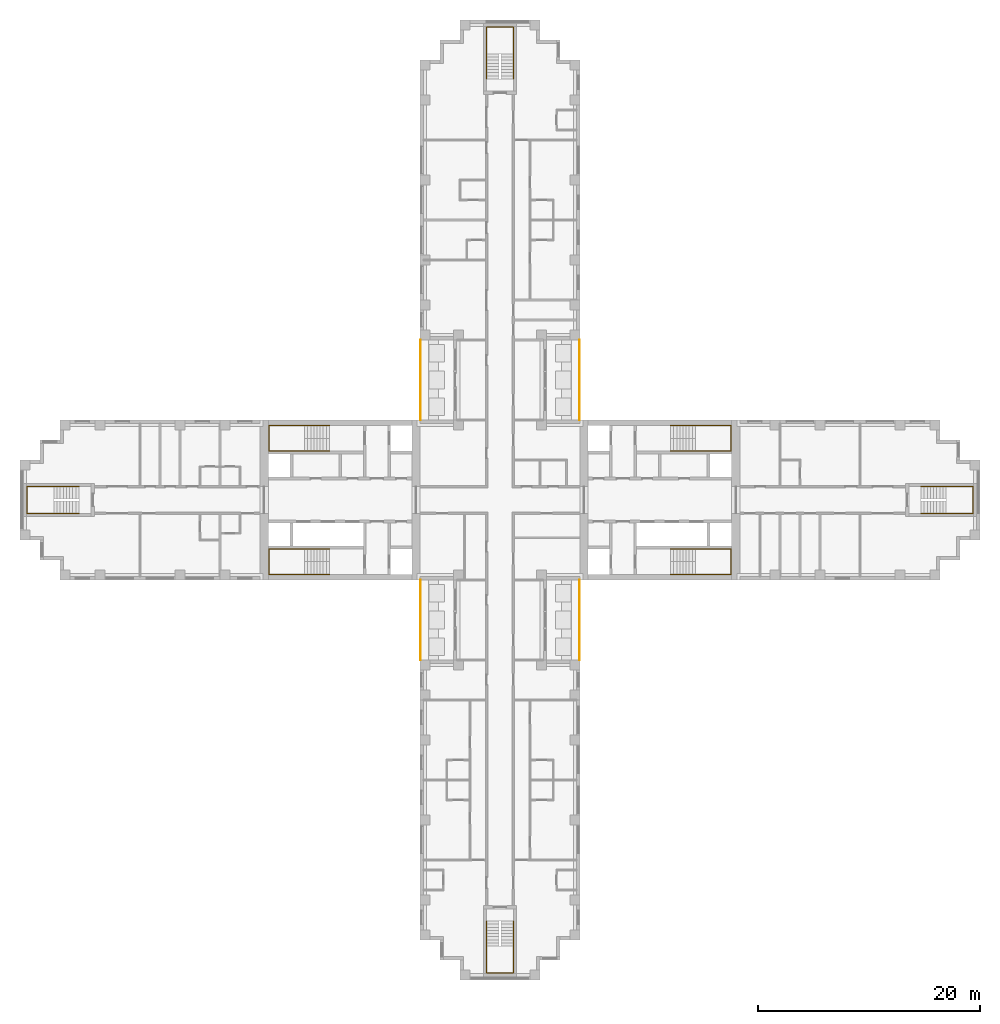
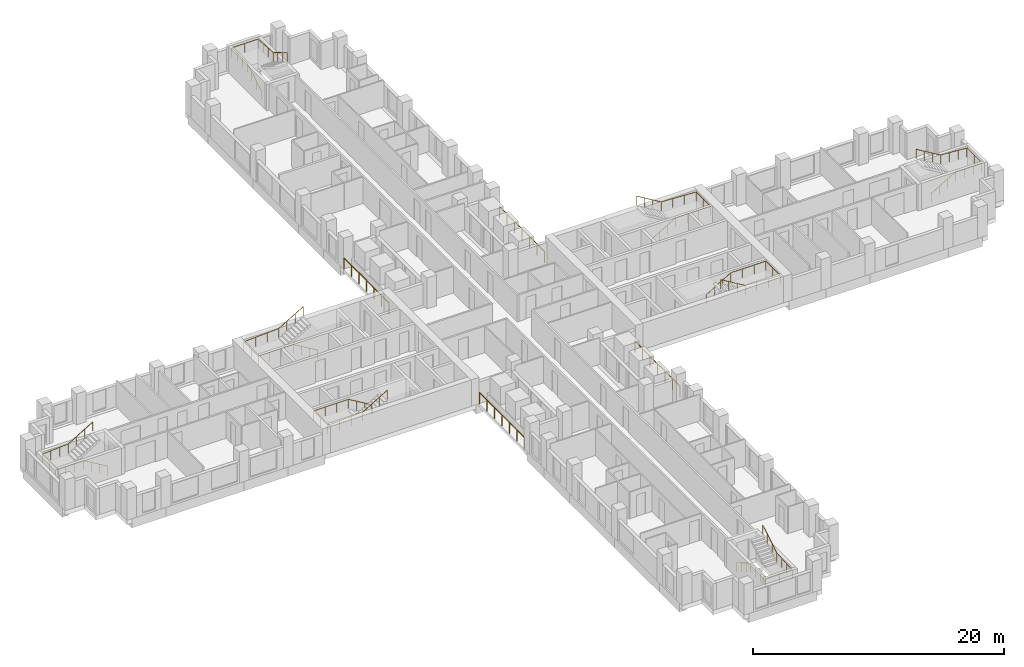
# One storey, part 14 of 15: 12 railings.
"""IFC4 building model written with IfcOpenShell, lengths in metres."""

import ifcopenshell
import ifcopenshell.guid

model = None  # the IFC model being written
_history = None  # IfcOwnerHistory: only IFC2X3 demands one
_inside = {}  # id of a spatial element -> (the spatial element, [elements in it])
_under = {}  # id of a project, library or spatial element -> (it, [spatial elements below it])
_declared = {}  # id of a project -> (the project, [libraries it declares])
_typed = {}  # id of a type object -> (the type object, [elements of that type])
_made_of = {}  # id of a material, layer set ... -> (it, [elements and type objects made of it])


def new_model(schema):
    """Start an empty IFC model of exactly this schema.

    Asked for "IFC4X3", IfcOpenShell would pick the latest addendum, in which some entities
    have other attributes; the version numbers below select the first issue.
    IFC2X3 requires an IfcOwnerHistory on every rooted entity: one is made here for all.
    """
    global model, _history
    if schema == "IFC4X3":
        model = ifcopenshell.file(schema_version=(4, 3, 0, 0))
    else:
        model = ifcopenshell.file(schema=schema)
    _inside.clear()
    _under.clear()
    _declared.clear()
    _typed.clear()
    _made_of.clear()
    _history = None
    if model.schema == "IFC2X3":
        org = make("IfcOrganization", Name="unknown")
        user = make(
            "IfcPersonAndOrganization",
            ThePerson=make("IfcPerson", FamilyName="unknown"),
            TheOrganization=org,
        )
        app = make(
            "IfcApplication",
            ApplicationDeveloper=org,
            Version="unknown",
            ApplicationFullName="unknown",
            ApplicationIdentifier="unknown",
        )
        _history = make(
            "IfcOwnerHistory",
            OwningUser=user,
            OwningApplication=app,
            ChangeAction="ADDED",
            CreationDate=0,
        )
    return model


def make(cls, **values):
    """One entity of the class cls with the attributes given. An attribute that is None is left unset."""
    return model.create_entity(
        cls, **{name: value for name, value in values.items() if value is not None}
    )


def rooted(cls, **values):
    """An entity with a GlobalId (a new one), such as an element, a storey or a relation."""
    return make(cls, GlobalId=ifcopenshell.guid.new(), OwnerHistory=_history, **values)


def si_unit(unit_type, name, prefix=None):
    """IfcSIUnit, for example si_unit("LENGTHUNIT", "METRE", prefix="MILLI")."""
    return make("IfcSIUnit", UnitType=unit_type, Prefix=prefix, Name=name)


def assignment(units):
    """IfcUnitAssignment: the units of a project."""
    return None if units is None else make("IfcUnitAssignment", Units=units)


def point(xyz):
    """IfcCartesianPoint."""
    return None if xyz is None else make("IfcCartesianPoint", Coordinates=xyz)


def direction(xyz):
    """IfcDirection."""
    return None if xyz is None else make("IfcDirection", DirectionRatios=xyz)


def frame(location, z_axis=None, x_axis=None):
    """IfcAxis2Placement3D, a coordinate frame: its origin and axes. An axis left out is left unset."""
    return make(
        "IfcAxis2Placement3D",
        Location=point(location),
        Axis=direction(z_axis),
        RefDirection=direction(x_axis),
    )


def frame_2d(location, x_axis=None):
    """IfcAxis2Placement2D, a coordinate frame in the plane: its origin and x axis."""
    return make(
        "IfcAxis2Placement2D", Location=point(location), RefDirection=direction(x_axis)
    )


def origin():
    """The frame at (0, 0, 0) with its axes left unset."""
    return frame((0.0, 0.0, 0.0))


def origin_2d():
    """The frame at (0, 0) in the plane with its x axis left unset."""
    return frame_2d((0.0, 0.0))


def place(relative_to, where):
    """IfcLocalPlacement: puts the frame where relative to a parent placement (None: the world)."""
    return make(
        "IfcLocalPlacement", PlacementRelTo=relative_to, RelativePlacement=where
    )


def context(
    kind, dimensions, precision=None, world=None, true_north=None, identifier=None
):
    """IfcGeometricRepresentationContext, for example the 3D "Model" context."""
    return make(
        "IfcGeometricRepresentationContext",
        ContextIdentifier=identifier,
        ContextType=kind,
        CoordinateSpaceDimension=dimensions,
        Precision=precision,
        WorldCoordinateSystem=world,
        TrueNorth=true_north,
    )


def subcontext(parent, identifier, kind, view, scale=None):
    """IfcGeometricRepresentationSubContext, for example "Body" below "Model"."""
    return make(
        "IfcGeometricRepresentationSubContext",
        ContextIdentifier=identifier,
        ContextType=kind,
        ParentContext=parent,
        TargetScale=scale,
        TargetView=view,
    )


def project(units=None, contexts=None):
    """IfcProject with its units and contexts."""
    return rooted(
        "IfcProject",
        Name="project",
        RepresentationContexts=contexts,
        UnitsInContext=assignment(units),
    )


def spatial(cls, under=None, at=None, **own):
    """A site, building, storey or space (cls), placed at a placement, below another one or the project."""
    s = rooted(cls, ObjectPlacement=at, **own)
    if under is not None:
        _under.setdefault(under.id(), (under, []))[1].append(s)
    return s


def profile(cls, at=None, kind="AREA", **sizes):
    """A parametric profile (cls). Its sizes go by their IFC names, for example OverallWidth=200.0."""
    return make(cls, ProfileType=kind, Position=at, **sizes)


def circle(**sizes):
    """IfcCircleProfileDef."""
    return profile("IfcCircleProfileDef", **sizes)


def extrude(swept, where, along, depth):
    """IfcExtrudedAreaSolid: the profile swept, set in the frame where, extruded along a direction by depth."""
    return make(
        "IfcExtrudedAreaSolid",
        SweptArea=swept,
        Position=where,
        ExtrudedDirection=direction(along),
        Depth=depth,
    )


def shape(context_of_items, identifier, shape_type, items):
    """IfcShapeRepresentation: the items that make up one representation, for example the "Body"."""
    return make(
        "IfcShapeRepresentation",
        ContextOfItems=context_of_items,
        RepresentationIdentifier=identifier,
        RepresentationType=shape_type,
        Items=items,
    )


def material(Name=None, Category=None):
    """IfcMaterial."""
    return make("IfcMaterial", Name=Name, Category=Category)


def made_of(thing, what):
    """Note that an element or type object is made of a material, layer set ...; save() writes the relation."""
    if what is not None:
        _made_of.setdefault(what.id(), (what, []))[1].append(thing)
    return thing


def type_object(cls, material=None, **own):
    """A type object (cls), such as IfcWallType, which elements share."""
    return made_of(rooted(cls, **own), material)


def element(
    cls,
    number,
    at=None,
    inside=None,
    cuts=None,
    type_object=None,
    material=None,
    context=None,
    identifier="Body",
    shape_type=None,
    held_by="IfcProductDefinitionShape",
    body=None,
    shapes=None,
    **own,
):
    """One element of the class cls, such as IfcWall. Its Tag is "e" and its number.

    at: its placement. inside: the storey or other place that contains it. cuts: it is an
    opening in that element (IfcRelVoidsElement). A single representation is given by context,
    identifier, shape_type and body (its items); several are given by shapes. held_by: the class
    of the entity that holds the representations. save() writes the other relations.
    """
    e = rooted(cls, Tag="e%d" % number, ObjectPlacement=at, **own)
    if body is not None:
        shapes = [shape(context, identifier, shape_type, body)]
    if shapes is not None:
        e.Representation = make(held_by, Representations=shapes)
    if inside is not None:
        _inside.setdefault(inside.id(), (inside, []))[1].append(e)
    if cuts is not None:
        rooted(
            "IfcRelVoidsElement", RelatingBuildingElement=cuts, RelatedOpeningElement=e
        )
    if type_object is not None:
        _typed.setdefault(type_object.id(), (type_object, []))[1].append(e)
    return made_of(e, material)


def aggregate(whole, parts):
    """IfcRelAggregates: a whole, such as a stair, and the parts it consists of."""
    return rooted("IfcRelAggregates", RelatingObject=whole, RelatedObjects=parts)


def save(model, path):
    """Write the relations noted so far, then the file.

    IfcRelAggregates (storeys below a building ...), IfcRelContainedInSpatialStructure (elements
    in a storey), IfcRelDefinesByType, IfcRelAssociatesMaterial and IfcRelDeclares: one each for
    every whole, place, type object, material and project.
    """
    for whole, parts in _under.values():
        aggregate(whole, parts)
    for where, things in _inside.values():
        rooted(
            "IfcRelContainedInSpatialStructure",
            RelatedElements=things,
            RelatingStructure=where,
        )
    for kind, things in _typed.values():
        rooted("IfcRelDefinesByType", RelatedObjects=things, RelatingType=kind)
    for what, things in _made_of.values():
        rooted("IfcRelAssociatesMaterial", RelatedObjects=things, RelatingMaterial=what)
    for by, libraries in _declared.values():
        rooted("IfcRelDeclares", RelatingContext=by, RelatedDefinitions=libraries)
    model.write(path)


model = new_model("IFC4")

# Units and contexts
model_context = context("Model", 3, precision=1e-05, world=origin(), true_north=direction((0.0, 1.0)))
body_context = subcontext(model_context, "Body", "Model", "MODEL_VIEW")
ifc_project = project(units=[si_unit("LENGTHUNIT", "METRE"), si_unit("AREAUNIT", "SQUARE_METRE"), si_unit("VOLUMEUNIT", "CUBIC_METRE"), si_unit("PLANEANGLEUNIT", "RADIAN"), si_unit("MASSUNIT", "GRAM", prefix="KILO")], contexts=[model_context])

# Site, building, storey
site_placement = place(None, origin())
site = spatial("IfcSite", under=ifc_project, at=site_placement, CompositionType="ELEMENT")
building_placement = place(site_placement, origin())
building = spatial("IfcBuilding", under=site, at=building_placement, Name="Fustian Cross Tower", CompositionType="ELEMENT")
storey_placement = place(building_placement, frame((0.0, 0.0, 50.699951171875)))
storey = spatial("IfcBuildingStorey", under=building, at=storey_placement, Name="L15", CompositionType="ELEMENT", Elevation=50.699951171875)

# Railings
ifc_material_1 = material(Name="Stainless steel and glass", Category="steel")
railing_type_1 = type_object("IfcRailingType", Name="GR1 BALCONY GUARD 1100", PredefinedType="GUARDRAIL", material=ifc_material_1)
for number, where, name in (
    (1, (7.14990234375, 7.199951171875, 0.0), "Balcony guard"),
    (2, (-7.14990234375, 7.199951171875, 0.0), "Balcony guard"),
    (3, (7.14990234375, -14.39990234375, 0.0), "Balcony guard"),
    (4, (-7.14990234375, -14.39990234375, 0.0), "Balcony guard"),
):
    element("IfcRailing", number, at=place(storey_placement, frame(where)), inside=storey, type_object=railing_type_1, Name=name, PredefinedType="GUARDRAIL", context=body_context, shape_type="SweptSolid", body=[
        extrude(circle(Radius=0.02392578125, at=origin_2d()), frame((0.0, 0.0, 1.076171875), z_axis=(0.0, 1.0, 0.0), x_axis=(-1.0, 0.0, 0.0)), (0.0, 0.0, 1.0), 7.199951171875),
        extrude(circle(Radius=0.02099609375, at=origin_2d()), origin(), (0.0, 0.0, 1.0), 1.052001953125),
        extrude(circle(Radius=0.02099609375, at=origin_2d()), frame((0.0, 1.199951171875, 0.0)), (0.0, 0.0, 1.0), 1.052001953125),
        extrude(circle(Radius=0.02099609375, at=origin_2d()), frame((0.0, 2.39990234375, 0.0)), (0.0, 0.0, 1.0), 1.052001953125),
        extrude(circle(Radius=0.02099609375, at=origin_2d()), frame((0.0, 3.60009765625, 0.0)), (0.0, 0.0, 1.0), 1.052001953125),
        extrude(circle(Radius=0.02099609375, at=origin_2d()), frame((0.0, 4.800048828125, 0.0)), (0.0, 0.0, 1.0), 1.052001953125),
        extrude(circle(Radius=0.02099609375, at=origin_2d()), frame((0.0, 6.0, 0.0)), (0.0, 0.0, 1.0), 1.052001953125),
        extrude(circle(Radius=0.02099609375, at=origin_2d()), frame((0.0, 7.199951171875, 0.0)), (0.0, 0.0, 1.0), 1.052001953125),
    ])
ifc_material_2 = material(Name="Stainless steel", Category="steel")
railing_type_2 = type_object("IfcRailingType", Name="STAIR HANDRAIL", PredefinedType="HANDRAIL", material=ifc_material_2)
railing_1_placement = place(storey_placement, frame((15.35009765625, 4.39990234375, 0.166748046875)))
element("IfcRailing", 5, at=railing_1_placement, inside=storey, type_object=railing_type_2, Name="Stair ST1 handrail 1", PredefinedType="HANDRAIL", context=body_context, shape_type="SweptSolid", body=[
    extrude(circle(Radius=0.02490234375, at=origin_2d()), frame((0.0, 0.0, 0.875), z_axis=(0.859305625298, 0.0, 0.511462454469), x_axis=(0.0, 1.0, 0.0)), (0.0, 0.0, 1.0), 2.606689453125),
    extrude(circle(Radius=0.02490234375, at=origin_2d()), frame((2.239990234375, 0.0, 2.2080078125), z_axis=(1.0, 0.0, 0.0), x_axis=(0.0, 1.0, 0.0)), (0.0, 0.0, 1.0), 3.219970703125),
    extrude(circle(Radius=0.02490234375, at=origin_2d()), frame((5.4599609375, 0.0, 2.2080078125), z_axis=(0.0, 1.0, 0.0), x_axis=(-1.0, 0.0, 0.0)), (0.0, 0.0, 1.0), 2.300048828125),
    extrude(circle(Radius=0.02490234375, at=origin_2d()), frame((5.4599609375, 2.300048828125, 2.2080078125), z_axis=(-0.998661817807, 0.0, 0.051716280352), x_axis=(0.0, -1.0, 0.0)), (0.0, 0.0, 1.0), 3.224365234375),
    extrude(circle(Radius=0.02490234375, at=origin_2d()), frame((2.239990234375, 2.300048828125, 2.375), z_axis=(-0.859305625298, 0.0, 0.511462454469), x_axis=(0.0, -1.0, 0.0)), (0.0, 0.0, 1.0), 2.606689453125),
    extrude(circle(Radius=0.02001953125, at=origin_2d()), origin(), (0.0, 0.0, 1.0), 0.849853515625),
    extrude(circle(Radius=0.02001953125, at=origin_2d()), frame((0.74658203125, 0.0, 0.4443359375)), (0.0, 0.0, 1.0), 0.849853515625),
    extrude(circle(Radius=0.02001953125, at=origin_2d()), frame((1.493408203125, 0.0, 0.888916015625)), (0.0, 0.0, 1.0), 0.849853515625),
    extrude(circle(Radius=0.02001953125, at=origin_2d()), frame((2.239990234375, 0.0, 1.333251953125)), (0.0, 0.0, 1.0), 0.849853515625),
    extrude(circle(Radius=0.02001953125, at=origin_2d()), frame((3.313232421875, 0.0, 1.333251953125)), (0.0, 0.0, 1.0), 0.849853515625),
    extrude(circle(Radius=0.02001953125, at=origin_2d()), frame((4.38671875, 0.0, 1.333251953125)), (0.0, 0.0, 1.0), 0.849853515625),
    extrude(circle(Radius=0.02001953125, at=origin_2d()), frame((5.4599609375, 0.0, 1.333251953125)), (0.0, 0.0, 1.0), 0.849853515625),
    extrude(circle(Radius=0.02001953125, at=origin_2d()), frame((5.4599609375, 1.14990234375, 1.333251953125)), (0.0, 0.0, 1.0), 0.849853515625),
    extrude(circle(Radius=0.02001953125, at=origin_2d()), frame((5.4599609375, 2.300048828125, 1.333251953125)), (0.0, 0.0, 1.0), 0.849853515625),
    extrude(circle(Radius=0.02001953125, at=origin_2d()), frame((4.38671875, 2.300048828125, 1.388916015625)), (0.0, 0.0, 1.0), 0.849853515625),
    extrude(circle(Radius=0.02001953125, at=origin_2d()), frame((3.313232421875, 2.300048828125, 1.4443359375)), (0.0, 0.0, 1.0), 0.849853515625),
    extrude(circle(Radius=0.02001953125, at=origin_2d()), frame((2.239990234375, 2.300048828125, 1.5)), (0.0, 0.0, 1.0), 0.849853515625),
    extrude(circle(Radius=0.02001953125, at=origin_2d()), frame((1.493408203125, 2.300048828125, 1.9443359375)), (0.0, 0.0, 1.0), 0.849853515625),
    extrude(circle(Radius=0.02001953125, at=origin_2d()), frame((0.74658203125, 2.300048828125, 2.388916015625)), (0.0, 0.0, 1.0), 0.849853515625),
    extrude(circle(Radius=0.02001953125, at=origin_2d()), frame((0.0, 2.300048828125, 2.833251953125)), (0.0, 0.0, 1.0), 0.849853515625),
])
railing_2_placement = place(storey_placement, frame((15.35009765625, -4.39990234375, 0.166748046875)))
element("IfcRailing", 6, at=railing_2_placement, inside=storey, type_object=railing_type_2, Name="Stair ST2 handrail 1", PredefinedType="HANDRAIL", context=body_context, shape_type="SweptSolid", body=[
    extrude(circle(Radius=0.02490234375, at=origin_2d()), frame((0.0, 0.0, 0.875), z_axis=(0.859305625298, 0.0, 0.511462454469), x_axis=(0.0, 1.0, 0.0)), (0.0, 0.0, 1.0), 2.606689453125),
    extrude(circle(Radius=0.02490234375, at=origin_2d()), frame((2.239990234375, 0.0, 2.2080078125), z_axis=(1.0, 0.0, 0.0), x_axis=(0.0, 1.0, 0.0)), (0.0, 0.0, 1.0), 3.219970703125),
    extrude(circle(Radius=0.02490234375, at=origin_2d()), frame((5.4599609375, 0.0, 2.2080078125), z_axis=(0.0, -1.0, 0.0), x_axis=(1.0, 0.0, 0.0)), (0.0, 0.0, 1.0), 2.300048828125),
    extrude(circle(Radius=0.02490234375, at=origin_2d()), frame((5.4599609375, -2.300048828125, 2.2080078125), z_axis=(-0.998661817807, 0.0, 0.051716280352), x_axis=(0.0, -1.0, 0.0)), (0.0, 0.0, 1.0), 3.224365234375),
    extrude(circle(Radius=0.02490234375, at=origin_2d()), frame((2.239990234375, -2.300048828125, 2.375), z_axis=(-0.859305625298, 0.0, 0.511462454469), x_axis=(0.0, -1.0, 0.0)), (0.0, 0.0, 1.0), 2.606689453125),
    extrude(circle(Radius=0.02001953125, at=origin_2d()), origin(), (0.0, 0.0, 1.0), 0.849853515625),
    extrude(circle(Radius=0.02001953125, at=origin_2d()), frame((0.74658203125, 0.0, 0.4443359375)), (0.0, 0.0, 1.0), 0.849853515625),
    extrude(circle(Radius=0.02001953125, at=origin_2d()), frame((1.493408203125, 0.0, 0.888916015625)), (0.0, 0.0, 1.0), 0.849853515625),
    extrude(circle(Radius=0.02001953125, at=origin_2d()), frame((2.239990234375, 0.0, 1.333251953125)), (0.0, 0.0, 1.0), 0.849853515625),
    extrude(circle(Radius=0.02001953125, at=origin_2d()), frame((3.313232421875, 0.0, 1.333251953125)), (0.0, 0.0, 1.0), 0.849853515625),
    extrude(circle(Radius=0.02001953125, at=origin_2d()), frame((4.38671875, 0.0, 1.333251953125)), (0.0, 0.0, 1.0), 0.849853515625),
    extrude(circle(Radius=0.02001953125, at=origin_2d()), frame((5.4599609375, 0.0, 1.333251953125)), (0.0, 0.0, 1.0), 0.849853515625),
    extrude(circle(Radius=0.02001953125, at=origin_2d()), frame((5.4599609375, -1.14990234375, 1.333251953125)), (0.0, 0.0, 1.0), 0.849853515625),
    extrude(circle(Radius=0.02001953125, at=origin_2d()), frame((5.4599609375, -2.300048828125, 1.333251953125)), (0.0, 0.0, 1.0), 0.849853515625),
    extrude(circle(Radius=0.02001953125, at=origin_2d()), frame((4.38671875, -2.300048828125, 1.388916015625)), (0.0, 0.0, 1.0), 0.849853515625),
    extrude(circle(Radius=0.02001953125, at=origin_2d()), frame((3.313232421875, -2.300048828125, 1.4443359375)), (0.0, 0.0, 1.0), 0.849853515625),
    extrude(circle(Radius=0.02001953125, at=origin_2d()), frame((2.239990234375, -2.300048828125, 1.5)), (0.0, 0.0, 1.0), 0.849853515625),
    extrude(circle(Radius=0.02001953125, at=origin_2d()), frame((1.493408203125, -2.300048828125, 1.9443359375)), (0.0, 0.0, 1.0), 0.849853515625),
    extrude(circle(Radius=0.02001953125, at=origin_2d()), frame((0.74658203125, -2.300048828125, 2.388916015625)), (0.0, 0.0, 1.0), 0.849853515625),
    extrude(circle(Radius=0.02001953125, at=origin_2d()), frame((0.0, -2.300048828125, 2.833251953125)), (0.0, 0.0, 1.0), 0.849853515625),
])
railing_3_placement = place(storey_placement, frame((-15.35009765625, 4.39990234375, 0.166748046875)))
element("IfcRailing", 7, at=railing_3_placement, inside=storey, type_object=railing_type_2, Name="Stair ST3 handrail 1", PredefinedType="HANDRAIL", context=body_context, shape_type="SweptSolid", body=[
    extrude(circle(Radius=0.02490234375, at=origin_2d()), frame((0.0, 0.0, 0.875), z_axis=(-0.859305625298, 0.0, 0.511462454469), x_axis=(0.0, -1.0, 0.0)), (0.0, 0.0, 1.0), 2.606689453125),
    extrude(circle(Radius=0.02490234375, at=origin_2d()), frame((-2.239990234375, 0.0, 2.2080078125), z_axis=(-1.0, 0.0, 0.0), x_axis=(0.0, -1.0, 0.0)), (0.0, 0.0, 1.0), 3.219970703125),
    extrude(circle(Radius=0.02490234375, at=origin_2d()), frame((-5.4599609375, 0.0, 2.2080078125), z_axis=(0.0, 1.0, 0.0), x_axis=(-1.0, 0.0, 0.0)), (0.0, 0.0, 1.0), 2.300048828125),
    extrude(circle(Radius=0.02490234375, at=origin_2d()), frame((-5.4599609375, 2.300048828125, 2.2080078125), z_axis=(0.998661817807, 0.0, 0.051716280352), x_axis=(0.0, 1.0, 0.0)), (0.0, 0.0, 1.0), 3.224365234375),
    extrude(circle(Radius=0.02490234375, at=origin_2d()), frame((-2.239990234375, 2.300048828125, 2.375), z_axis=(0.859305625298, 0.0, 0.511462454469), x_axis=(0.0, 1.0, 0.0)), (0.0, 0.0, 1.0), 2.606689453125),
    extrude(circle(Radius=0.02001953125, at=origin_2d()), origin(), (0.0, 0.0, 1.0), 0.849853515625),
    extrude(circle(Radius=0.02001953125, at=origin_2d()), frame((-0.74658203125, 0.0, 0.4443359375)), (0.0, 0.0, 1.0), 0.849853515625),
    extrude(circle(Radius=0.02001953125, at=origin_2d()), frame((-1.493408203125, 0.0, 0.888916015625)), (0.0, 0.0, 1.0), 0.849853515625),
    extrude(circle(Radius=0.02001953125, at=origin_2d()), frame((-2.239990234375, 0.0, 1.333251953125)), (0.0, 0.0, 1.0), 0.849853515625),
    extrude(circle(Radius=0.02001953125, at=origin_2d()), frame((-3.313232421875, 0.0, 1.333251953125)), (0.0, 0.0, 1.0), 0.849853515625),
    extrude(circle(Radius=0.02001953125, at=origin_2d()), frame((-4.38671875, 0.0, 1.333251953125)), (0.0, 0.0, 1.0), 0.849853515625),
    extrude(circle(Radius=0.02001953125, at=origin_2d()), frame((-5.4599609375, 0.0, 1.333251953125)), (0.0, 0.0, 1.0), 0.849853515625),
    extrude(circle(Radius=0.02001953125, at=origin_2d()), frame((-5.4599609375, 1.14990234375, 1.333251953125)), (0.0, 0.0, 1.0), 0.849853515625),
    extrude(circle(Radius=0.02001953125, at=origin_2d()), frame((-5.4599609375, 2.300048828125, 1.333251953125)), (0.0, 0.0, 1.0), 0.849853515625),
    extrude(circle(Radius=0.02001953125, at=origin_2d()), frame((-4.38671875, 2.300048828125, 1.388916015625)), (0.0, 0.0, 1.0), 0.849853515625),
    extrude(circle(Radius=0.02001953125, at=origin_2d()), frame((-3.313232421875, 2.300048828125, 1.4443359375)), (0.0, 0.0, 1.0), 0.849853515625),
    extrude(circle(Radius=0.02001953125, at=origin_2d()), frame((-2.239990234375, 2.300048828125, 1.5)), (0.0, 0.0, 1.0), 0.849853515625),
    extrude(circle(Radius=0.02001953125, at=origin_2d()), frame((-1.493408203125, 2.300048828125, 1.9443359375)), (0.0, 0.0, 1.0), 0.849853515625),
    extrude(circle(Radius=0.02001953125, at=origin_2d()), frame((-0.74658203125, 2.300048828125, 2.388916015625)), (0.0, 0.0, 1.0), 0.849853515625),
    extrude(circle(Radius=0.02001953125, at=origin_2d()), frame((0.0, 2.300048828125, 2.833251953125)), (0.0, 0.0, 1.0), 0.849853515625),
])
railing_4_placement = place(storey_placement, frame((-15.35009765625, -4.39990234375, 0.166748046875)))
element("IfcRailing", 8, at=railing_4_placement, inside=storey, type_object=railing_type_2, Name="Stair ST4 handrail 1", PredefinedType="HANDRAIL", context=body_context, shape_type="SweptSolid", body=[
    extrude(circle(Radius=0.02490234375, at=origin_2d()), frame((0.0, 0.0, 0.875), z_axis=(-0.859305625298, 0.0, 0.511462454469), x_axis=(0.0, -1.0, 0.0)), (0.0, 0.0, 1.0), 2.606689453125),
    extrude(circle(Radius=0.02490234375, at=origin_2d()), frame((-2.239990234375, 0.0, 2.2080078125), z_axis=(-1.0, 0.0, 0.0), x_axis=(0.0, -1.0, 0.0)), (0.0, 0.0, 1.0), 3.219970703125),
    extrude(circle(Radius=0.02490234375, at=origin_2d()), frame((-5.4599609375, 0.0, 2.2080078125), z_axis=(0.0, -1.0, 0.0), x_axis=(1.0, 0.0, 0.0)), (0.0, 0.0, 1.0), 2.300048828125),
    extrude(circle(Radius=0.02490234375, at=origin_2d()), frame((-5.4599609375, -2.300048828125, 2.2080078125), z_axis=(0.998661817807, 0.0, 0.051716280352), x_axis=(0.0, 1.0, 0.0)), (0.0, 0.0, 1.0), 3.224365234375),
    extrude(circle(Radius=0.02490234375, at=origin_2d()), frame((-2.239990234375, -2.300048828125, 2.375), z_axis=(0.859305625298, 0.0, 0.511462454469), x_axis=(0.0, 1.0, 0.0)), (0.0, 0.0, 1.0), 2.606689453125),
    extrude(circle(Radius=0.02001953125, at=origin_2d()), origin(), (0.0, 0.0, 1.0), 0.849853515625),
    extrude(circle(Radius=0.02001953125, at=origin_2d()), frame((-0.74658203125, 0.0, 0.4443359375)), (0.0, 0.0, 1.0), 0.849853515625),
    extrude(circle(Radius=0.02001953125, at=origin_2d()), frame((-1.493408203125, 0.0, 0.888916015625)), (0.0, 0.0, 1.0), 0.849853515625),
    extrude(circle(Radius=0.02001953125, at=origin_2d()), frame((-2.239990234375, 0.0, 1.333251953125)), (0.0, 0.0, 1.0), 0.849853515625),
    extrude(circle(Radius=0.02001953125, at=origin_2d()), frame((-3.313232421875, 0.0, 1.333251953125)), (0.0, 0.0, 1.0), 0.849853515625),
    extrude(circle(Radius=0.02001953125, at=origin_2d()), frame((-4.38671875, 0.0, 1.333251953125)), (0.0, 0.0, 1.0), 0.849853515625),
    extrude(circle(Radius=0.02001953125, at=origin_2d()), frame((-5.4599609375, 0.0, 1.333251953125)), (0.0, 0.0, 1.0), 0.849853515625),
    extrude(circle(Radius=0.02001953125, at=origin_2d()), frame((-5.4599609375, -1.14990234375, 1.333251953125)), (0.0, 0.0, 1.0), 0.849853515625),
    extrude(circle(Radius=0.02001953125, at=origin_2d()), frame((-5.4599609375, -2.300048828125, 1.333251953125)), (0.0, 0.0, 1.0), 0.849853515625),
    extrude(circle(Radius=0.02001953125, at=origin_2d()), frame((-4.38671875, -2.300048828125, 1.388916015625)), (0.0, 0.0, 1.0), 0.849853515625),
    extrude(circle(Radius=0.02001953125, at=origin_2d()), frame((-3.313232421875, -2.300048828125, 1.4443359375)), (0.0, 0.0, 1.0), 0.849853515625),
    extrude(circle(Radius=0.02001953125, at=origin_2d()), frame((-2.239990234375, -2.300048828125, 1.5)), (0.0, 0.0, 1.0), 0.849853515625),
    extrude(circle(Radius=0.02001953125, at=origin_2d()), frame((-1.493408203125, -2.300048828125, 1.9443359375)), (0.0, 0.0, 1.0), 0.849853515625),
    extrude(circle(Radius=0.02001953125, at=origin_2d()), frame((-0.74658203125, -2.300048828125, 2.388916015625)), (0.0, 0.0, 1.0), 0.849853515625),
    extrude(circle(Radius=0.02001953125, at=origin_2d()), frame((0.0, -2.300048828125, 2.833251953125)), (0.0, 0.0, 1.0), 0.849853515625),
])
railing_5_placement = place(storey_placement, frame((-1.199951171875, 37.89990234375, 0.166748046875)))
element("IfcRailing", 9, at=railing_5_placement, inside=storey, type_object=railing_type_2, Name="Stair ST5 handrail 1", PredefinedType="HANDRAIL", context=body_context, shape_type="SweptSolid", body=[
    extrude(circle(Radius=0.02490234375, at=origin_2d()), frame((0.0, 0.0, 0.875), z_axis=(0.0, 0.859305625298, 0.511462454469), x_axis=(-1.0, 0.0, 0.0)), (0.0, 0.0, 1.0), 2.606689453125),
    extrude(circle(Radius=0.02490234375, at=origin_2d()), frame((0.0, 2.239990234375, 2.2080078125), z_axis=(0.0, 1.0, 0.0), x_axis=(-1.0, 0.0, 0.0)), (0.0, 0.0, 1.0), 2.420166015625),
    extrude(circle(Radius=0.02490234375, at=origin_2d()), frame((0.0, 4.66015625, 2.2080078125), z_axis=(1.0, 0.0, 0.0), x_axis=(0.0, 1.0, 0.0)), (0.0, 0.0, 1.0), 2.39990234375),
    extrude(circle(Radius=0.02490234375, at=origin_2d()), frame((2.39990234375, 4.66015625, 2.2080078125), z_axis=(0.0, -0.997634852044, 0.068736467663), x_axis=(1.0, 0.0, 0.0)), (0.0, 0.0, 1.0), 2.426025390625),
    extrude(circle(Radius=0.02490234375, at=origin_2d()), frame((2.39990234375, 2.239990234375, 2.375), z_axis=(0.0, -0.859305625298, 0.511462454469), x_axis=(1.0, 0.0, 0.0)), (0.0, 0.0, 1.0), 2.606689453125),
    extrude(circle(Radius=0.02001953125, at=origin_2d()), origin(), (0.0, 0.0, 1.0), 0.849853515625),
    extrude(circle(Radius=0.02001953125, at=origin_2d()), frame((0.0, 0.74658203125, 0.4443359375)), (0.0, 0.0, 1.0), 0.849853515625),
    extrude(circle(Radius=0.02001953125, at=origin_2d()), frame((0.0, 1.493408203125, 0.888916015625)), (0.0, 0.0, 1.0), 0.849853515625),
    extrude(circle(Radius=0.02001953125, at=origin_2d()), frame((0.0, 2.239990234375, 1.333251953125)), (0.0, 0.0, 1.0), 0.849853515625),
    extrude(circle(Radius=0.02001953125, at=origin_2d()), frame((0.0, 3.046630859375, 1.333251953125)), (0.0, 0.0, 1.0), 0.849853515625),
    extrude(circle(Radius=0.02001953125, at=origin_2d()), frame((0.0, 3.853515625, 1.333251953125)), (0.0, 0.0, 1.0), 0.849853515625),
    extrude(circle(Radius=0.02001953125, at=origin_2d()), frame((0.0, 4.66015625, 1.333251953125)), (0.0, 0.0, 1.0), 0.849853515625),
    extrude(circle(Radius=0.02001953125, at=origin_2d()), frame((1.199951171875, 4.66015625, 1.333251953125)), (0.0, 0.0, 1.0), 0.849853515625),
    extrude(circle(Radius=0.02001953125, at=origin_2d()), frame((2.39990234375, 4.66015625, 1.333251953125)), (0.0, 0.0, 1.0), 0.849853515625),
    extrude(circle(Radius=0.02001953125, at=origin_2d()), frame((2.39990234375, 3.853515625, 1.388916015625)), (0.0, 0.0, 1.0), 0.849853515625),
    extrude(circle(Radius=0.02001953125, at=origin_2d()), frame((2.39990234375, 3.046630859375, 1.4443359375)), (0.0, 0.0, 1.0), 0.849853515625),
    extrude(circle(Radius=0.02001953125, at=origin_2d()), frame((2.39990234375, 2.239990234375, 1.5)), (0.0, 0.0, 1.0), 0.849853515625),
    extrude(circle(Radius=0.02001953125, at=origin_2d()), frame((2.39990234375, 1.493408203125, 1.9443359375)), (0.0, 0.0, 1.0), 0.849853515625),
    extrude(circle(Radius=0.02001953125, at=origin_2d()), frame((2.39990234375, 0.74658203125, 2.388916015625)), (0.0, 0.0, 1.0), 0.849853515625),
    extrude(circle(Radius=0.02001953125, at=origin_2d()), frame((2.39990234375, 0.0, 2.833251953125)), (0.0, 0.0, 1.0), 0.849853515625),
])
railing_6_placement = place(storey_placement, frame((-1.199951171875, -37.89990234375, 0.166748046875)))
element("IfcRailing", 10, at=railing_6_placement, inside=storey, type_object=railing_type_2, Name="Stair ST6 handrail 1", PredefinedType="HANDRAIL", context=body_context, shape_type="SweptSolid", body=[
    extrude(circle(Radius=0.02490234375, at=origin_2d()), frame((0.0, 0.0, 0.875), z_axis=(0.0, -0.859305625298, 0.511462454469), x_axis=(1.0, 0.0, 0.0)), (0.0, 0.0, 1.0), 2.606689453125),
    extrude(circle(Radius=0.02490234375, at=origin_2d()), frame((0.0, -2.239990234375, 2.2080078125), z_axis=(0.0, -1.0, 0.0), x_axis=(1.0, 0.0, 0.0)), (0.0, 0.0, 1.0), 2.420166015625),
    extrude(circle(Radius=0.02490234375, at=origin_2d()), frame((0.0, -4.66015625, 2.2080078125), z_axis=(1.0, 0.0, 0.0), x_axis=(0.0, 1.0, 0.0)), (0.0, 0.0, 1.0), 2.39990234375),
    extrude(circle(Radius=0.02490234375, at=origin_2d()), frame((2.39990234375, -4.66015625, 2.2080078125), z_axis=(0.0, 0.997634852044, 0.068736467663), x_axis=(-1.0, 0.0, 0.0)), (0.0, 0.0, 1.0), 2.426025390625),
    extrude(circle(Radius=0.02490234375, at=origin_2d()), frame((2.39990234375, -2.239990234375, 2.375), z_axis=(0.0, 0.859305625298, 0.511462454469), x_axis=(-1.0, 0.0, 0.0)), (0.0, 0.0, 1.0), 2.606689453125),
    extrude(circle(Radius=0.02001953125, at=origin_2d()), origin(), (0.0, 0.0, 1.0), 0.849853515625),
    extrude(circle(Radius=0.02001953125, at=origin_2d()), frame((0.0, -0.74658203125, 0.4443359375)), (0.0, 0.0, 1.0), 0.849853515625),
    extrude(circle(Radius=0.02001953125, at=origin_2d()), frame((0.0, -1.493408203125, 0.888916015625)), (0.0, 0.0, 1.0), 0.849853515625),
    extrude(circle(Radius=0.02001953125, at=origin_2d()), frame((0.0, -2.239990234375, 1.333251953125)), (0.0, 0.0, 1.0), 0.849853515625),
    extrude(circle(Radius=0.02001953125, at=origin_2d()), frame((0.0, -3.046630859375, 1.333251953125)), (0.0, 0.0, 1.0), 0.849853515625),
    extrude(circle(Radius=0.02001953125, at=origin_2d()), frame((0.0, -3.853515625, 1.333251953125)), (0.0, 0.0, 1.0), 0.849853515625),
    extrude(circle(Radius=0.02001953125, at=origin_2d()), frame((0.0, -4.66015625, 1.333251953125)), (0.0, 0.0, 1.0), 0.849853515625),
    extrude(circle(Radius=0.02001953125, at=origin_2d()), frame((1.199951171875, -4.66015625, 1.333251953125)), (0.0, 0.0, 1.0), 0.849853515625),
    extrude(circle(Radius=0.02001953125, at=origin_2d()), frame((2.39990234375, -4.66015625, 1.333251953125)), (0.0, 0.0, 1.0), 0.849853515625),
    extrude(circle(Radius=0.02001953125, at=origin_2d()), frame((2.39990234375, -3.853515625, 1.388916015625)), (0.0, 0.0, 1.0), 0.849853515625),
    extrude(circle(Radius=0.02001953125, at=origin_2d()), frame((2.39990234375, -3.046630859375, 1.4443359375)), (0.0, 0.0, 1.0), 0.849853515625),
    extrude(circle(Radius=0.02001953125, at=origin_2d()), frame((2.39990234375, -2.239990234375, 1.5)), (0.0, 0.0, 1.0), 0.849853515625),
    extrude(circle(Radius=0.02001953125, at=origin_2d()), frame((2.39990234375, -1.493408203125, 1.9443359375)), (0.0, 0.0, 1.0), 0.849853515625),
    extrude(circle(Radius=0.02001953125, at=origin_2d()), frame((2.39990234375, -0.74658203125, 2.388916015625)), (0.0, 0.0, 1.0), 0.849853515625),
    extrude(circle(Radius=0.02001953125, at=origin_2d()), frame((2.39990234375, 0.0, 2.833251953125)), (0.0, 0.0, 1.0), 0.849853515625),
])
railing_7_placement = place(storey_placement, frame((37.89990234375, -1.199951171875, 0.166748046875)))
element("IfcRailing", 11, at=railing_7_placement, inside=storey, type_object=railing_type_2, Name="Stair ST8 handrail 1", PredefinedType="HANDRAIL", context=body_context, shape_type="SweptSolid", body=[
    extrude(circle(Radius=0.02490234375, at=origin_2d()), frame((0.0, 0.0, 0.875), z_axis=(0.859305625298, 0.0, 0.511462454469), x_axis=(0.0, 1.0, 0.0)), (0.0, 0.0, 1.0), 2.606689453125),
    extrude(circle(Radius=0.02490234375, at=origin_2d()), frame((2.239990234375, 0.0, 2.2080078125), z_axis=(1.0, 0.0, 0.0), x_axis=(0.0, 1.0, 0.0)), (0.0, 0.0, 1.0), 2.420166015625),
    extrude(circle(Radius=0.02490234375, at=origin_2d()), frame((4.66015625, 0.0, 2.2080078125), z_axis=(0.0, 1.0, 0.0), x_axis=(-1.0, 0.0, 0.0)), (0.0, 0.0, 1.0), 2.39990234375),
    extrude(circle(Radius=0.02490234375, at=origin_2d()), frame((4.66015625, 2.39990234375, 2.2080078125), z_axis=(-0.997634852044, 0.0, 0.068736467663), x_axis=(0.0, -1.0, 0.0)), (0.0, 0.0, 1.0), 2.426025390625),
    extrude(circle(Radius=0.02490234375, at=origin_2d()), frame((2.239990234375, 2.39990234375, 2.375), z_axis=(-0.859305625298, 0.0, 0.511462454469), x_axis=(0.0, -1.0, 0.0)), (0.0, 0.0, 1.0), 2.606689453125),
    extrude(circle(Radius=0.02001953125, at=origin_2d()), origin(), (0.0, 0.0, 1.0), 0.849853515625),
    extrude(circle(Radius=0.02001953125, at=origin_2d()), frame((0.74658203125, 0.0, 0.4443359375)), (0.0, 0.0, 1.0), 0.849853515625),
    extrude(circle(Radius=0.02001953125, at=origin_2d()), frame((1.493408203125, 0.0, 0.888916015625)), (0.0, 0.0, 1.0), 0.849853515625),
    extrude(circle(Radius=0.02001953125, at=origin_2d()), frame((2.239990234375, 0.0, 1.333251953125)), (0.0, 0.0, 1.0), 0.849853515625),
    extrude(circle(Radius=0.02001953125, at=origin_2d()), frame((3.046630859375, 0.0, 1.333251953125)), (0.0, 0.0, 1.0), 0.849853515625),
    extrude(circle(Radius=0.02001953125, at=origin_2d()), frame((3.853515625, 0.0, 1.333251953125)), (0.0, 0.0, 1.0), 0.849853515625),
    extrude(circle(Radius=0.02001953125, at=origin_2d()), frame((4.66015625, 0.0, 1.333251953125)), (0.0, 0.0, 1.0), 0.849853515625),
    extrude(circle(Radius=0.02001953125, at=origin_2d()), frame((4.66015625, 1.199951171875, 1.333251953125)), (0.0, 0.0, 1.0), 0.849853515625),
    extrude(circle(Radius=0.02001953125, at=origin_2d()), frame((4.66015625, 2.39990234375, 1.333251953125)), (0.0, 0.0, 1.0), 0.849853515625),
    extrude(circle(Radius=0.02001953125, at=origin_2d()), frame((3.853515625, 2.39990234375, 1.388916015625)), (0.0, 0.0, 1.0), 0.849853515625),
    extrude(circle(Radius=0.02001953125, at=origin_2d()), frame((3.046630859375, 2.39990234375, 1.4443359375)), (0.0, 0.0, 1.0), 0.849853515625),
    extrude(circle(Radius=0.02001953125, at=origin_2d()), frame((2.239990234375, 2.39990234375, 1.5)), (0.0, 0.0, 1.0), 0.849853515625),
    extrude(circle(Radius=0.02001953125, at=origin_2d()), frame((1.493408203125, 2.39990234375, 1.9443359375)), (0.0, 0.0, 1.0), 0.849853515625),
    extrude(circle(Radius=0.02001953125, at=origin_2d()), frame((0.74658203125, 2.39990234375, 2.388916015625)), (0.0, 0.0, 1.0), 0.849853515625),
    extrude(circle(Radius=0.02001953125, at=origin_2d()), frame((0.0, 2.39990234375, 2.833251953125)), (0.0, 0.0, 1.0), 0.849853515625),
])
railing_8_placement = place(storey_placement, frame((-37.89990234375, -1.199951171875, 0.166748046875)))
element("IfcRailing", 12, at=railing_8_placement, inside=storey, type_object=railing_type_2, Name="Stair ST9 handrail 1", PredefinedType="HANDRAIL", context=body_context, shape_type="SweptSolid", body=[
    extrude(circle(Radius=0.02490234375, at=origin_2d()), frame((0.0, 0.0, 0.875), z_axis=(-0.859305625298, 0.0, 0.511462454469), x_axis=(0.0, -1.0, 0.0)), (0.0, 0.0, 1.0), 2.606689453125),
    extrude(circle(Radius=0.02490234375, at=origin_2d()), frame((-2.239990234375, 0.0, 2.2080078125), z_axis=(-1.0, 0.0, 0.0), x_axis=(0.0, -1.0, 0.0)), (0.0, 0.0, 1.0), 2.420166015625),
    extrude(circle(Radius=0.02490234375, at=origin_2d()), frame((-4.66015625, 0.0, 2.2080078125), z_axis=(0.0, 1.0, 0.0), x_axis=(-1.0, 0.0, 0.0)), (0.0, 0.0, 1.0), 2.39990234375),
    extrude(circle(Radius=0.02490234375, at=origin_2d()), frame((-4.66015625, 2.39990234375, 2.2080078125), z_axis=(0.997634852044, 0.0, 0.068736467663), x_axis=(0.0, 1.0, 0.0)), (0.0, 0.0, 1.0), 2.426025390625),
    extrude(circle(Radius=0.02490234375, at=origin_2d()), frame((-2.239990234375, 2.39990234375, 2.375), z_axis=(0.859305625298, 0.0, 0.511462454469), x_axis=(0.0, 1.0, 0.0)), (0.0, 0.0, 1.0), 2.606689453125),
    extrude(circle(Radius=0.02001953125, at=origin_2d()), origin(), (0.0, 0.0, 1.0), 0.849853515625),
    extrude(circle(Radius=0.02001953125, at=origin_2d()), frame((-0.74658203125, 0.0, 0.4443359375)), (0.0, 0.0, 1.0), 0.849853515625),
    extrude(circle(Radius=0.02001953125, at=origin_2d()), frame((-1.493408203125, 0.0, 0.888916015625)), (0.0, 0.0, 1.0), 0.849853515625),
    extrude(circle(Radius=0.02001953125, at=origin_2d()), frame((-2.239990234375, 0.0, 1.333251953125)), (0.0, 0.0, 1.0), 0.849853515625),
    extrude(circle(Radius=0.02001953125, at=origin_2d()), frame((-3.046630859375, 0.0, 1.333251953125)), (0.0, 0.0, 1.0), 0.849853515625),
    extrude(circle(Radius=0.02001953125, at=origin_2d()), frame((-3.853515625, 0.0, 1.333251953125)), (0.0, 0.0, 1.0), 0.849853515625),
    extrude(circle(Radius=0.02001953125, at=origin_2d()), frame((-4.66015625, 0.0, 1.333251953125)), (0.0, 0.0, 1.0), 0.849853515625),
    extrude(circle(Radius=0.02001953125, at=origin_2d()), frame((-4.66015625, 1.199951171875, 1.333251953125)), (0.0, 0.0, 1.0), 0.849853515625),
    extrude(circle(Radius=0.02001953125, at=origin_2d()), frame((-4.66015625, 2.39990234375, 1.333251953125)), (0.0, 0.0, 1.0), 0.849853515625),
    extrude(circle(Radius=0.02001953125, at=origin_2d()), frame((-3.853515625, 2.39990234375, 1.388916015625)), (0.0, 0.0, 1.0), 0.849853515625),
    extrude(circle(Radius=0.02001953125, at=origin_2d()), frame((-3.046630859375, 2.39990234375, 1.4443359375)), (0.0, 0.0, 1.0), 0.849853515625),
    extrude(circle(Radius=0.02001953125, at=origin_2d()), frame((-2.239990234375, 2.39990234375, 1.5)), (0.0, 0.0, 1.0), 0.849853515625),
    extrude(circle(Radius=0.02001953125, at=origin_2d()), frame((-1.493408203125, 2.39990234375, 1.9443359375)), (0.0, 0.0, 1.0), 0.849853515625),
    extrude(circle(Radius=0.02001953125, at=origin_2d()), frame((-0.74658203125, 2.39990234375, 2.388916015625)), (0.0, 0.0, 1.0), 0.849853515625),
    extrude(circle(Radius=0.02001953125, at=origin_2d()), frame((0.0, 2.39990234375, 2.833251953125)), (0.0, 0.0, 1.0), 0.849853515625),
])

save(model, "model.ifc")
